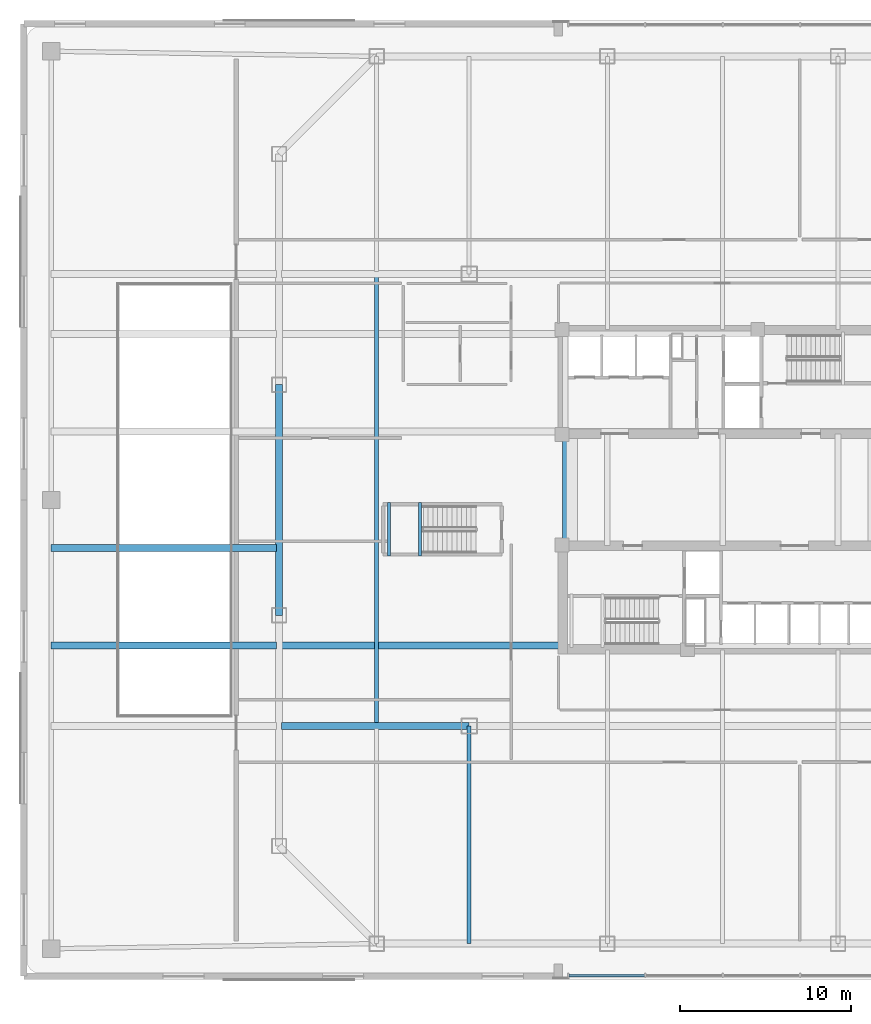
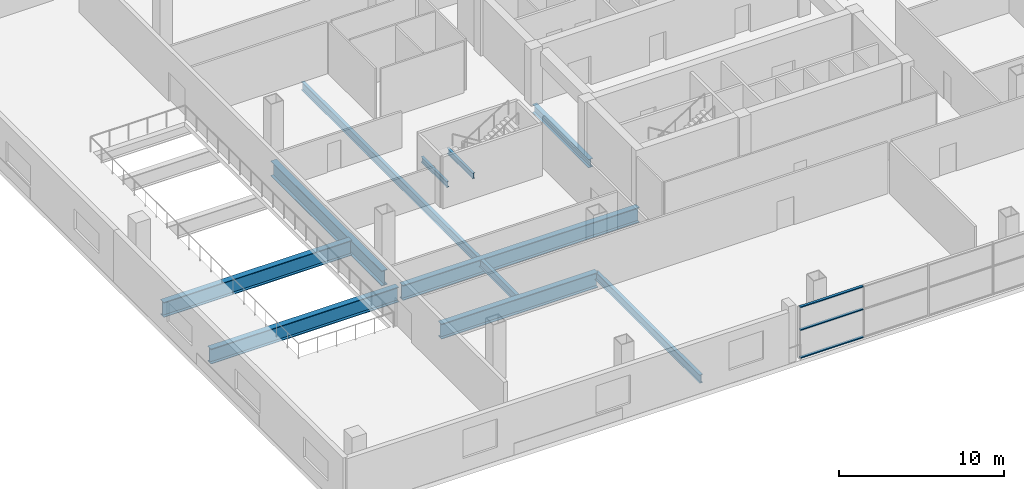
# One storey, part 3 of 21: 10 beams, 3 members, 1 element without a shape of its own.
"""IFC4 building model written with IfcOpenShell, lengths in metres."""

from ifc_helpers import new_model, si_unit, direction, frame, origin, origin_2d, place, context, subcontext, project, spatial, hollow_rectangle, i_section, extrude, material, layer, layer_set, material_profile, profile_set, type_object, element, aggregate, save


model = new_model("IFC4")

# Units and contexts
model_context = context("Model", 3, precision=1e-05, world=origin(), true_north=direction((0.0, 1.0)))
body_context = subcontext(model_context, "Body", "Model", "MODEL_VIEW")
ifc_project = project(units=[si_unit("LENGTHUNIT", "METRE"), si_unit("AREAUNIT", "SQUARE_METRE"), si_unit("VOLUMEUNIT", "CUBIC_METRE"), si_unit("PLANEANGLEUNIT", "RADIAN"), si_unit("MASSUNIT", "GRAM", prefix="KILO")], contexts=[model_context])

# Site, building, storey
site_placement = place(None, origin())
site = spatial("IfcSite", under=ifc_project, at=site_placement, CompositionType="ELEMENT")
building_placement = place(site_placement, origin())
building = spatial("IfcBuilding", under=site, at=building_placement, Name="Qhalaya Broadcast Tower", CompositionType="ELEMENT")
storey_placement = place(building_placement, frame((0.0, 0.0, 17.699951171875)))
storey = spatial("IfcBuildingStorey", under=building, at=storey_placement, Name="L04", CompositionType="ELEMENT", Elevation=17.699951171875)

# Beams
ifc_material_1 = material(Name="Structural Steel ASTM A992 Grade 50", Category="steel")
ifc_material_profile_1 = material_profile(ifc_material_1, i_section(OverallWidth=0.22802734375, OverallDepth=0.60693359375, WebThickness=0.01123046875, FlangeThickness=0.017333984375, at=origin_2d()), Name="W24X76")
ifc_profile_set_1 = profile_set([ifc_material_profile_1], Name="Structural Steel ASTM A992 Grade 50")
beam_type_1 = type_object("IfcBeamType", Name="Composite Floor Joist J01", PredefinedType="JOIST", material=ifc_profile_set_1)
beam_1_placement = place(storey_placement, frame((-20.199951171875, -13.06005859375, -0.62353515625), z_axis=(0.0, 1.0, 0.0), x_axis=(-1.0, 0.0, 0.0)))
element("IfcBeam", 1, at=beam_1_placement, inside=storey, type_object=beam_type_1, Name="L04 J01 L04-JS-M-20.2", PredefinedType="JOIST", context=body_context, shape_type="SweptSolid", body=[
    extrude(i_section(OverallWidth=0.22802734375, OverallDepth=0.60693359375, WebThickness=0.01123046875, FlangeThickness=0.017333984375, at=origin_2d()), origin(), (0.0, 0.0, 1.0), 26.1201171875),
])
beam_2_placement = place(storey_placement, frame((-14.800048828125, -25.89990234375, -0.62353515625), z_axis=(0.0, 1.0, 0.0), x_axis=(-1.0, 0.0, 0.0)))
element("IfcBeam", 2, at=beam_2_placement, inside=storey, type_object=beam_type_1, Name="L04 J01 L04-JS-S-14.8", PredefinedType="JOIST", context=body_context, shape_type="SweptSolid", body=[
    extrude(i_section(OverallWidth=0.22802734375, OverallDepth=0.60693359375, WebThickness=0.01123046875, FlangeThickness=0.017333984375, at=origin_2d()), origin(), (0.0, 0.0, 1.0), 12.699951171875),
])
ifc_material_profile_2 = material_profile(ifc_material_1, i_section(OverallWidth=0.323974609375, OverallDepth=0.612060546875, WebThickness=0.0126953125, FlangeThickness=0.01904296875, at=origin_2d()), Name="W24X104")
ifc_profile_set_2 = profile_set([ifc_material_profile_2], Name="Structural Steel ASTM A992 Grade 50")
beam_type_2 = type_object("IfcBeamType", Name="Core Frame Tie Beam B04", PredefinedType="BEAM", material=ifc_profile_set_2)
beam_3_placement = place(storey_placement, frame((-9.199951171875, -2.800048828125, -0.6259765625), z_axis=(0.0, 1.0, 0.0), x_axis=(-1.0, 0.0, 0.0)))
element("IfcBeam", 3, at=beam_3_placement, inside=storey, type_object=beam_type_2, Name="L04 B04 L04-CCW", PredefinedType="BEAM", context=body_context, shape_type="SweptSolid", body=[
    extrude(i_section(OverallWidth=0.323974609375, OverallDepth=0.612060546875, WebThickness=0.0126953125, FlangeThickness=0.01904296875, at=origin_2d()), origin(), (0.0, 0.0, 1.0), 6.800048828125),
])
ifc_material_profile_3 = material_profile(ifc_material_1, i_section(OverallWidth=0.404052734375, OverallDepth=1.117919921875, WebThickness=0.026123046875, FlangeThickness=0.044921875, at=origin_2d()), Name="W44X335")
ifc_profile_set_3 = profile_set([ifc_material_profile_3], Name="Structural Steel ASTM A992 Grade 50")
beam_type_3 = type_object("IfcBeamType", Name="Podium Long-Span Primary Girder PG1", PredefinedType="USERDEFINED", material=ifc_profile_set_3)
beam_4_placement = place(storey_placement, frame((-25.89990234375, 6.7333984375, -0.87890625), z_axis=(0.0, -1.0, 0.0), x_axis=(1.0, 0.0, 0.0)))
element("IfcBeam", 4, at=beam_4_placement, inside=storey, type_object=beam_type_3, Name="L04 PG1 L04-PG-R14", ObjectType="GIRDER", PredefinedType="USERDEFINED", context=body_context, shape_type="SweptSolid", body=[
    extrude(i_section(OverallWidth=0.404052734375, OverallDepth=1.117919921875, WebThickness=0.026123046875, FlangeThickness=0.044921875, at=origin_2d()), origin(), (0.0, 0.0, 1.0), 13.466796875),
])
beam_5_placement = place(storey_placement, frame((-25.760009765625, -13.199951171875, -0.87890625), z_axis=(1.0, 0.0, 0.0), x_axis=(0.0, 1.0, 0.0)))
element("IfcBeam", 5, at=beam_5_placement, inside=storey, type_object=beam_type_3, Name="L04 PG1 L04-PG-GS2", ObjectType="GIRDER", PredefinedType="USERDEFINED", context=body_context, shape_type="SweptSolid", body=[
    extrude(i_section(OverallWidth=0.404052734375, OverallDepth=1.117919921875, WebThickness=0.026123046875, FlangeThickness=0.044921875, at=origin_2d()), origin(), (0.0, 0.0, 1.0), 10.9599609375),
])
beam_6_placement = place(storey_placement, frame((-39.199951171875, -8.5, -0.87890625), z_axis=(1.0, 0.0, 0.0), x_axis=(0.0, 1.0, 0.0)))
element("IfcBeam", 6, at=beam_6_placement, inside=storey, type_object=beam_type_3, Name="L04 PG1 L04-PG-W1A", ObjectType="GIRDER", PredefinedType="USERDEFINED", context=body_context, shape_type="SweptSolid", body=[
    extrude(i_section(OverallWidth=0.404052734375, OverallDepth=1.117919921875, WebThickness=0.026123046875, FlangeThickness=0.044921875, at=origin_2d()), origin(), (0.0, 0.0, 1.0), 13.159912109375),
])
beam_7_placement = place(storey_placement, frame((-25.760009765625, -8.5, -0.87890625), z_axis=(1.0, 0.0, 0.0), x_axis=(0.0, 1.0, 0.0)))
element("IfcBeam", 7, at=beam_7_placement, inside=storey, type_object=beam_type_3, Name="L04 PG1 L04-PG-W1B", ObjectType="GIRDER", PredefinedType="USERDEFINED", context=body_context, shape_type="SweptSolid", body=[
    extrude(i_section(OverallWidth=0.404052734375, OverallDepth=1.117919921875, WebThickness=0.026123046875, FlangeThickness=0.044921875, at=origin_2d()), origin(), (0.0, 0.0, 1.0), 16.56005859375),
])
beam_8_placement = place(storey_placement, frame((-39.199951171875, -2.800048828125, -0.87890625), z_axis=(1.0, 0.0, 0.0), x_axis=(0.0, 1.0, 0.0)))
element("IfcBeam", 8, at=beam_8_placement, inside=storey, type_object=beam_type_3, Name="L04 PG1 L04-PG-W2A", ObjectType="GIRDER", PredefinedType="USERDEFINED", context=body_context, shape_type="SweptSolid", body=[
    extrude(i_section(OverallWidth=0.404052734375, OverallDepth=1.117919921875, WebThickness=0.026123046875, FlangeThickness=0.044921875, at=origin_2d()), origin(), (0.0, 0.0, 1.0), 13.159912109375),
])

# Curtain wall, members
ifc_material_2 = material(Name="Solar-Control Low-E Triple Glazing", Category="glass")
ifc_layer = layer(ifc_material_2, 0.219970703125, Name="Solar-Control Low-E Triple Glazing")
ifc_layer_set = layer_set([ifc_layer], Name="Solar-Control Low-E Triple Glazing")
curtain_wall_type = type_object("IfcCurtainWallType", Name="Podium Concourse Triple-Height Glazed Portal CW-01", PredefinedType="NOTDEFINED", material=ifc_layer_set)
curtain_wall_placement = place(storey_placement, origin())
curtain_wall = element("IfcCurtainWall", 9, at=curtain_wall_placement, inside=storey, type_object=curtain_wall_type, Name="L04 Unitised Curtain Wall L04-CW01-S", PredefinedType="NOTDEFINED")
ifc_material_3 = material(Name="Anodised Aluminium 6063-T6", Category="aluminium")
ifc_material_profile_4 = material_profile(ifc_material_3, hollow_rectangle(XDim=0.074951171875, YDim=0.179931640625, WallThickness=0.00390625, at=origin_2d()), Name="ALU-TRN 75x180x4")
ifc_profile_set_4 = profile_set([ifc_material_profile_4], Name="Anodised Aluminium 6063-T6")
member_type = type_object("IfcMemberType", Name="Unitised Curtain-Wall Transom T01", PredefinedType="USERDEFINED", material=ifc_profile_set_4)
member_1_placement = place(storey_placement, frame((-8.97509765625, -27.75, 0.03759765625), z_axis=(1.0, 0.0, 0.0), x_axis=(0.0, 0.0, 1.0)))
member_1 = element("IfcMember", 10, at=member_1_placement, type_object=member_type, Name="CW-01 transom 1.1", ObjectType="TRANSOM", PredefinedType="USERDEFINED", context=body_context, shape_type="SweptSolid", body=[
    extrude(hollow_rectangle(XDim=0.074951171875, YDim=0.179931640625, WallThickness=0.00390625, at=origin_2d()), origin(), (0.0, 0.0, 1.0), 4.41259765625),
])
member_2_placement = place(storey_placement, frame((-8.97509765625, -27.75, 2.10107421875), z_axis=(1.0, 0.0, 0.0), x_axis=(0.0, 0.0, 1.0)))
member_2 = element("IfcMember", 11, at=member_2_placement, type_object=member_type, Name="CW-01 transom 1.2", ObjectType="TRANSOM", PredefinedType="USERDEFINED", context=body_context, shape_type="SweptSolid", body=[
    extrude(hollow_rectangle(XDim=0.074951171875, YDim=0.179931640625, WallThickness=0.00390625, at=origin_2d()), origin(), (0.0, 0.0, 1.0), 4.41259765625),
])
member_3_placement = place(storey_placement, frame((-8.97509765625, -27.75, 3.782470703125), z_axis=(1.0, 0.0, 0.0), x_axis=(0.0, 0.0, 1.0)))
member_3 = element("IfcMember", 12, at=member_3_placement, type_object=member_type, Name="CW-01 transom 1.3", ObjectType="TRANSOM", PredefinedType="USERDEFINED", context=body_context, shape_type="SweptSolid", body=[
    extrude(hollow_rectangle(XDim=0.074951171875, YDim=0.179931640625, WallThickness=0.00390625, at=origin_2d()), origin(), (0.0, 0.0, 1.0), 4.41259765625),
])
aggregate(curtain_wall, [member_1, member_2, member_3])

# Beams
ifc_material_profile_5 = material_profile(ifc_material_1, i_section(OverallWidth=0.177978515625, OverallDepth=0.406005859375, WebThickness=0.0078125, FlangeThickness=0.0126953125, at=origin_2d()), Name="W16X40")
ifc_profile_set_5 = profile_set([ifc_material_profile_5], Name="Structural Steel ASTM A992 Grade 50")
beam_type_4 = type_object("IfcBeamType", Name="Upper Perimeter Spandrel Beam SP2", PredefinedType="SPANDREL", material=ifc_profile_set_5)
for number, where, z_axis, x_axis, name in (
    (13, (-19.47998046875, -3.280029296875, 1.697021484375), (0.0, 1.0, 0.0), (-1.0, 0.0, 0.0), "L04 ST-P1 Half-Landing Bearer Beam 1"),
    (14, (-17.6650390625, -3.280029296875, 1.697021484375), (0.0, 1.0, 0.0), (-1.0, 0.0, 0.0), "L04 ST-P1 Half-Landing Bearer Beam 2"),
):
    element("IfcBeam", number, at=place(storey_placement, frame(where, z_axis=z_axis, x_axis=x_axis)), inside=storey, type_object=beam_type_4, Name=name, PredefinedType="SPANDREL", context=body_context, shape_type="SweptSolid", body=[
        extrude(i_section(OverallWidth=0.177978515625, OverallDepth=0.406005859375, WebThickness=0.0078125, FlangeThickness=0.0126953125, at=origin_2d()), origin(), (0.0, 0.0, 1.0), 3.1201171875),
    ])

save(model, "model.ifc")
